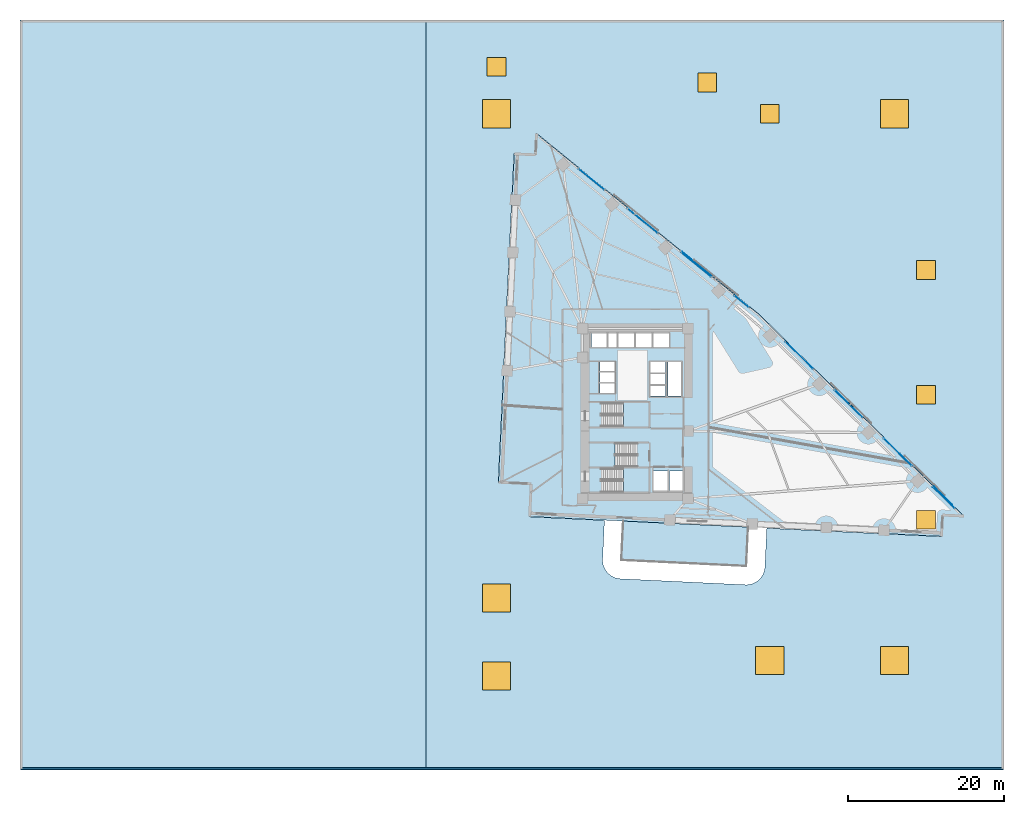
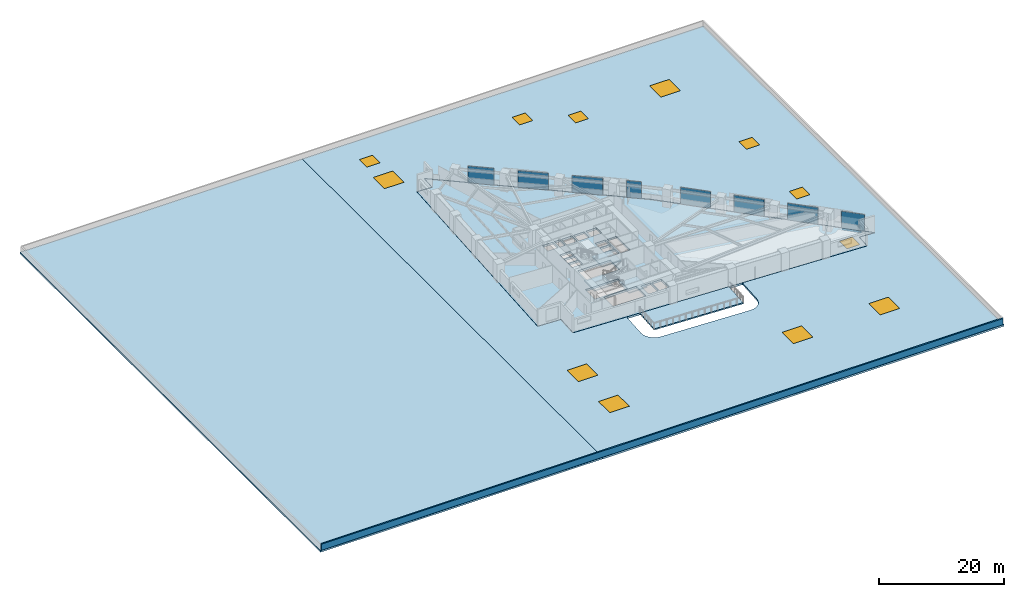
# One storey, part 11 of 19: 12 windows, 10 plates, 7 slabs, 1 wall, 12 openings, 11 elements without a shape of their own.
"""IFC4 building model written with IfcOpenShell, lengths in metres."""

import ifcopenshell
import ifcopenshell.guid

model = None  # the IFC model being written
_history = None  # IfcOwnerHistory: only IFC2X3 demands one
_inside = {}  # id of a spatial element -> (the spatial element, [elements in it])
_under = {}  # id of a project, library or spatial element -> (it, [spatial elements below it])
_declared = {}  # id of a project -> (the project, [libraries it declares])
_typed = {}  # id of a type object -> (the type object, [elements of that type])
_made_of = {}  # id of a material, layer set ... -> (it, [elements and type objects made of it])


def new_model(schema):
    """Start an empty IFC model of exactly this schema.

    Asked for "IFC4X3", IfcOpenShell would pick the latest addendum, in which some entities
    have other attributes; the version numbers below select the first issue.
    IFC2X3 requires an IfcOwnerHistory on every rooted entity: one is made here for all.
    """
    global model, _history
    if schema == "IFC4X3":
        model = ifcopenshell.file(schema_version=(4, 3, 0, 0))
    else:
        model = ifcopenshell.file(schema=schema)
    _inside.clear()
    _under.clear()
    _declared.clear()
    _typed.clear()
    _made_of.clear()
    _history = None
    if model.schema == "IFC2X3":
        org = make("IfcOrganization", Name="unknown")
        user = make(
            "IfcPersonAndOrganization",
            ThePerson=make("IfcPerson", FamilyName="unknown"),
            TheOrganization=org,
        )
        app = make(
            "IfcApplication",
            ApplicationDeveloper=org,
            Version="unknown",
            ApplicationFullName="unknown",
            ApplicationIdentifier="unknown",
        )
        _history = make(
            "IfcOwnerHistory",
            OwningUser=user,
            OwningApplication=app,
            ChangeAction="ADDED",
            CreationDate=0,
        )
    return model


def make(cls, **values):
    """One entity of the class cls with the attributes given. An attribute that is None is left unset."""
    return model.create_entity(
        cls, **{name: value for name, value in values.items() if value is not None}
    )


def rooted(cls, **values):
    """An entity with a GlobalId (a new one), such as an element, a storey or a relation."""
    return make(cls, GlobalId=ifcopenshell.guid.new(), OwnerHistory=_history, **values)


def si_unit(unit_type, name, prefix=None):
    """IfcSIUnit, for example si_unit("LENGTHUNIT", "METRE", prefix="MILLI")."""
    return make("IfcSIUnit", UnitType=unit_type, Prefix=prefix, Name=name)


def assignment(units):
    """IfcUnitAssignment: the units of a project."""
    return None if units is None else make("IfcUnitAssignment", Units=units)


def point(xyz):
    """IfcCartesianPoint."""
    return None if xyz is None else make("IfcCartesianPoint", Coordinates=xyz)


def direction(xyz):
    """IfcDirection."""
    return None if xyz is None else make("IfcDirection", DirectionRatios=xyz)


def frame(location, z_axis=None, x_axis=None):
    """IfcAxis2Placement3D, a coordinate frame: its origin and axes. An axis left out is left unset."""
    return make(
        "IfcAxis2Placement3D",
        Location=point(location),
        Axis=direction(z_axis),
        RefDirection=direction(x_axis),
    )


def frame_2d(location, x_axis=None):
    """IfcAxis2Placement2D, a coordinate frame in the plane: its origin and x axis."""
    return make(
        "IfcAxis2Placement2D", Location=point(location), RefDirection=direction(x_axis)
    )


def origin():
    """The frame at (0, 0, 0) with its axes left unset."""
    return frame((0.0, 0.0, 0.0))


def origin_2d():
    """The frame at (0, 0) in the plane with its x axis left unset."""
    return frame_2d((0.0, 0.0))


def place(relative_to, where):
    """IfcLocalPlacement: puts the frame where relative to a parent placement (None: the world)."""
    return make(
        "IfcLocalPlacement", PlacementRelTo=relative_to, RelativePlacement=where
    )


def context(
    kind, dimensions, precision=None, world=None, true_north=None, identifier=None
):
    """IfcGeometricRepresentationContext, for example the 3D "Model" context."""
    return make(
        "IfcGeometricRepresentationContext",
        ContextIdentifier=identifier,
        ContextType=kind,
        CoordinateSpaceDimension=dimensions,
        Precision=precision,
        WorldCoordinateSystem=world,
        TrueNorth=true_north,
    )


def subcontext(parent, identifier, kind, view, scale=None):
    """IfcGeometricRepresentationSubContext, for example "Body" below "Model"."""
    return make(
        "IfcGeometricRepresentationSubContext",
        ContextIdentifier=identifier,
        ContextType=kind,
        ParentContext=parent,
        TargetScale=scale,
        TargetView=view,
    )


def project(units=None, contexts=None):
    """IfcProject with its units and contexts."""
    return rooted(
        "IfcProject",
        Name="project",
        RepresentationContexts=contexts,
        UnitsInContext=assignment(units),
    )


def spatial(cls, under=None, at=None, **own):
    """A site, building, storey or space (cls), placed at a placement, below another one or the project."""
    s = rooted(cls, ObjectPlacement=at, **own)
    if under is not None:
        _under.setdefault(under.id(), (under, []))[1].append(s)
    return s


def polyline(points):
    """IfcPolyline through the points."""
    return make("IfcPolyline", Points=[point(p) for p in points])


def profile(cls, at=None, kind="AREA", **sizes):
    """A parametric profile (cls). Its sizes go by their IFC names, for example OverallWidth=200.0."""
    return make(cls, ProfileType=kind, Position=at, **sizes)


def rectangle(**sizes):
    """IfcRectangleProfileDef."""
    return profile("IfcRectangleProfileDef", **sizes)


def outline(outer, holes=None, kind="AREA"):
    """IfcArbitraryClosedProfileDef: a profile drawn as a closed curve; with holes, ...WithVoids."""
    if holes is None:
        return make("IfcArbitraryClosedProfileDef", ProfileType=kind, OuterCurve=outer)
    return make(
        "IfcArbitraryProfileDefWithVoids",
        ProfileType=kind,
        OuterCurve=outer,
        InnerCurves=holes,
    )


def extrude(swept, where, along, depth):
    """IfcExtrudedAreaSolid: the profile swept, set in the frame where, extruded along a direction by depth."""
    return make(
        "IfcExtrudedAreaSolid",
        SweptArea=swept,
        Position=where,
        ExtrudedDirection=direction(along),
        Depth=depth,
    )


def shape(context_of_items, identifier, shape_type, items):
    """IfcShapeRepresentation: the items that make up one representation, for example the "Body"."""
    return make(
        "IfcShapeRepresentation",
        ContextOfItems=context_of_items,
        RepresentationIdentifier=identifier,
        RepresentationType=shape_type,
        Items=items,
    )


def material(Name=None, Category=None):
    """IfcMaterial."""
    return make("IfcMaterial", Name=Name, Category=Category)


def layer(
    of_material, thickness, ventilated=None, Name=None, Category=None, Priority=None
):
    """IfcMaterialLayer: one layer of a wall or slab, of a material (None: an air gap)."""
    return make(
        "IfcMaterialLayer",
        Material=of_material,
        LayerThickness=thickness,
        IsVentilated=ventilated,
        Name=Name,
        Category=Category,
        Priority=Priority,
    )


def layer_set(layers, Name=None):
    """IfcMaterialLayerSet."""
    return make("IfcMaterialLayerSet", MaterialLayers=layers, LayerSetName=Name)


def made_of(thing, what):
    """Note that an element or type object is made of a material, layer set ...; save() writes the relation."""
    if what is not None:
        _made_of.setdefault(what.id(), (what, []))[1].append(thing)
    return thing


def type_object(cls, material=None, **own):
    """A type object (cls), such as IfcWallType, which elements share."""
    return made_of(rooted(cls, **own), material)


def element(
    cls,
    number,
    at=None,
    inside=None,
    cuts=None,
    type_object=None,
    material=None,
    context=None,
    identifier="Body",
    shape_type=None,
    held_by="IfcProductDefinitionShape",
    body=None,
    shapes=None,
    **own,
):
    """One element of the class cls, such as IfcWall. Its Tag is "e" and its number.

    at: its placement. inside: the storey or other place that contains it. cuts: it is an
    opening in that element (IfcRelVoidsElement). A single representation is given by context,
    identifier, shape_type and body (its items); several are given by shapes. held_by: the class
    of the entity that holds the representations. save() writes the other relations.
    """
    e = rooted(cls, Tag="e%d" % number, ObjectPlacement=at, **own)
    if body is not None:
        shapes = [shape(context, identifier, shape_type, body)]
    if shapes is not None:
        e.Representation = make(held_by, Representations=shapes)
    if inside is not None:
        _inside.setdefault(inside.id(), (inside, []))[1].append(e)
    if cuts is not None:
        rooted(
            "IfcRelVoidsElement", RelatingBuildingElement=cuts, RelatedOpeningElement=e
        )
    if type_object is not None:
        _typed.setdefault(type_object.id(), (type_object, []))[1].append(e)
    return made_of(e, material)


def fill(opening, filler):
    """IfcRelFillsElement: the door or window that sits in an opening."""
    return rooted(
        "IfcRelFillsElement",
        RelatingOpeningElement=opening,
        RelatedBuildingElement=filler,
    )


def aggregate(whole, parts):
    """IfcRelAggregates: a whole, such as a stair, and the parts it consists of."""
    return rooted("IfcRelAggregates", RelatingObject=whole, RelatedObjects=parts)


def save(model, path):
    """Write the relations noted so far, then the file.

    IfcRelAggregates (storeys below a building ...), IfcRelContainedInSpatialStructure (elements
    in a storey), IfcRelDefinesByType, IfcRelAssociatesMaterial and IfcRelDeclares: one each for
    every whole, place, type object, material and project.
    """
    for whole, parts in _under.values():
        aggregate(whole, parts)
    for where, things in _inside.values():
        rooted(
            "IfcRelContainedInSpatialStructure",
            RelatedElements=things,
            RelatingStructure=where,
        )
    for kind, things in _typed.values():
        rooted("IfcRelDefinesByType", RelatedObjects=things, RelatingType=kind)
    for what, things in _made_of.values():
        rooted("IfcRelAssociatesMaterial", RelatedObjects=things, RelatingMaterial=what)
    for by, libraries in _declared.values():
        rooted("IfcRelDeclares", RelatingContext=by, RelatedDefinitions=libraries)
    model.write(path)


model = new_model("IFC4")

# Units and contexts
model_context = context("Model", 3, precision=1e-05, world=origin(), true_north=direction((0.0, 1.0)))
body_context = subcontext(model_context, "Body", "Model", "MODEL_VIEW")
ifc_project = project(units=[si_unit("LENGTHUNIT", "METRE"), si_unit("AREAUNIT", "SQUARE_METRE"), si_unit("VOLUMEUNIT", "CUBIC_METRE"), si_unit("PLANEANGLEUNIT", "RADIAN"), si_unit("MASSUNIT", "GRAM", prefix="KILO")], contexts=[model_context])

# Site, building, storey
site_placement = place(None, origin())
site = spatial("IfcSite", under=ifc_project, at=site_placement, CompositionType="ELEMENT")
building_placement = place(site_placement, origin())
building = spatial("IfcBuilding", under=site, at=building_placement, Name="Narakoshi Arena Tower", CompositionType="ELEMENT")
storey_placement = place(building_placement, frame((0.0, 0.0, 26.699951171875)))
storey = spatial("IfcBuildingStorey", under=building, at=storey_placement, Name="L06", CompositionType="ELEMENT", Elevation=26.699951171875)

# Curtain wall, plate
ifc_material_1 = material(Name="Anodised bronze aluminium 6063-T6", Category="aluminium")
curtain_wall_type = type_object("IfcCurtainWallType", Name="CW-HYP-LOW", PredefinedType="NOTDEFINED", material=ifc_material_1)
curtain_wall_1_placement = place(storey_placement, origin())
curtain_wall_1 = element("IfcCurtainWall", 1, at=curtain_wall_1_placement, inside=storey, type_object=curtain_wall_type, Name="L06 Folded Hypotenuse Curtain Wall 1-1", PredefinedType="NOTDEFINED")
ifc_material_2 = material(Name="Bronze-tinted low-E laminated glass", Category="glass")
ifc_layer_1 = layer(ifc_material_2, 0.031982421875)
ifc_layer_set_1 = layer_set([ifc_layer_1], Name="Bronze-tinted low-E laminated glass")
plate_type_1 = type_object("IfcPlateType", Name="PLT-GLZ-32", PredefinedType="CURTAIN_PANEL", material=ifc_layer_set_1)
plate_1_placement = place(storey_placement, frame((118.277587890625, 34.8505859375, 0.06494140625), z_axis=(0.0, 0.0, 1.0), x_axis=(-0.712541277695, 0.701630192894, 0.0)))
plate_1 = element("IfcPlate", 2, at=plate_1_placement, type_object=plate_type_1, Name="CW-01 panel 1.1", PredefinedType="CURTAIN_PANEL", context=body_context, shape_type="SweptSolid", body=[
    extrude(rectangle(XDim=3.85498046875, YDim=0.031982421875, at=origin_2d()), origin(), (0.0, 0.0, 1.0), 3.27001953125),
])
aggregate(curtain_wall_1, [plate_1])

curtain_wall_2_placement = place(storey_placement, origin())
curtain_wall_2 = element("IfcCurtainWall", 3, at=curtain_wall_2_placement, inside=storey, type_object=curtain_wall_type, Name="L06 Folded Hypotenuse Curtain Wall 1-2", PredefinedType="NOTDEFINED")
plate_2_placement = place(storey_placement, frame((112.375, 40.66259765625, 0.06494140625), z_axis=(0.0, 0.0, 1.0), x_axis=(-0.712548329451, 0.701623031404, 0.0)))
plate_2 = element("IfcPlate", 4, at=plate_2_placement, type_object=plate_type_1, Name="CW-01 panel 1.1", PredefinedType="CURTAIN_PANEL", context=body_context, shape_type="SweptSolid", body=[
    extrude(rectangle(XDim=4.966552734375, YDim=0.031982421875, at=origin_2d()), origin(), (0.0, 0.0, 1.0), 3.27001953125),
])
aggregate(curtain_wall_2, [plate_2])

curtain_wall_3_placement = place(storey_placement, origin())
curtain_wall_3 = element("IfcCurtainWall", 5, at=curtain_wall_3_placement, inside=storey, type_object=curtain_wall_type, Name="L06 Folded Hypotenuse Curtain Wall 1-3", PredefinedType="NOTDEFINED")
plate_3_placement = place(storey_placement, frame((106.07666015625, 46.864501953125, 0.06494140625), z_axis=(0.0, 0.0, 1.0), x_axis=(-0.712538708053, 0.701632802488, 0.0)))
plate_3 = element("IfcPlate", 6, at=plate_3_placement, type_object=plate_type_1, Name="CW-01 panel 1.1", PredefinedType="CURTAIN_PANEL", context=body_context, shape_type="SweptSolid", body=[
    extrude(rectangle(XDim=4.966552734375, YDim=0.031982421875, at=origin_2d()), origin(), (0.0, 0.0, 1.0), 3.27001953125),
])
aggregate(curtain_wall_3, [plate_3])

curtain_wall_4_placement = place(storey_placement, origin())
curtain_wall_4 = element("IfcCurtainWall", 7, at=curtain_wall_4_placement, inside=storey, type_object=curtain_wall_type, Name="L06 Folded Hypotenuse Curtain Wall 1-4", PredefinedType="NOTDEFINED")
plate_4_placement = place(storey_placement, frame((99.7783203125, 53.06640625, 0.06494140625), z_axis=(0.0, 0.0, 1.0), x_axis=(-0.712538708053, 0.701632802488, 0.0)))
plate_4 = element("IfcPlate", 8, at=plate_4_placement, type_object=plate_type_1, Name="CW-01 panel 1.1", PredefinedType="CURTAIN_PANEL", context=body_context, shape_type="SweptSolid", body=[
    extrude(rectangle(XDim=4.966552734375, YDim=0.031982421875, at=origin_2d()), origin(), (0.0, 0.0, 1.0), 3.27001953125),
])
aggregate(curtain_wall_4, [plate_4])

curtain_wall_5_placement = place(storey_placement, origin())
curtain_wall_5 = element("IfcCurtainWall", 9, at=curtain_wall_5_placement, inside=storey, type_object=curtain_wall_type, Name="L06 Folded Hypotenuse Curtain Wall 2-1", PredefinedType="NOTDEFINED")
plate_5_placement = place(storey_placement, frame((92.40087890625, 59.964111328125, 0.06494140625), z_axis=(0.0, 0.0, 1.0), x_axis=(-0.776007918256, 0.63072316495, 0.0)))
plate_5 = element("IfcPlate", 10, at=plate_5_placement, type_object=plate_type_1, Name="CW-01 panel 1.1", PredefinedType="CURTAIN_PANEL", context=body_context, shape_type="SweptSolid", body=[
    extrude(rectangle(XDim=2.35888671875, YDim=0.031982421875, at=origin_2d()), origin(), (0.0, 0.0, 1.0), 3.27001953125),
])
aggregate(curtain_wall_5, [plate_5])

curtain_wall_6_placement = place(storey_placement, origin())
curtain_wall_6 = element("IfcCurtainWall", 11, at=curtain_wall_6_placement, inside=storey, type_object=curtain_wall_type, Name="L06 Folded Hypotenuse Curtain Wall 2-2", PredefinedType="NOTDEFINED")
plate_6_placement = place(storey_placement, frame((86.566650390625, 64.7060546875, 0.06494140625), z_axis=(0.0, 0.0, 1.0), x_axis=(-0.775998434519, 0.630734833051, 0.0)))
plate_6 = element("IfcPlate", 12, at=plate_6_placement, type_object=plate_type_1, Name="CW-01 panel 1.1", PredefinedType="CURTAIN_PANEL", context=body_context, shape_type="SweptSolid", body=[
    extrude(rectangle(XDim=4.932373046875, YDim=0.031982421875, at=origin_2d()), origin(), (0.0, 0.0, 1.0), 3.27001953125),
])
aggregate(curtain_wall_6, [plate_6])

curtain_wall_7_placement = place(storey_placement, origin())
curtain_wall_7 = element("IfcCurtainWall", 13, at=curtain_wall_7_placement, inside=storey, type_object=curtain_wall_type, Name="L06 Folded Hypotenuse Curtain Wall 2-3", PredefinedType="NOTDEFINED")
plate_7_placement = place(storey_placement, frame((79.73388671875, 70.259765625, 0.06494140625), z_axis=(0.0, 0.0, 1.0), x_axis=(-0.776008064665, 0.630722984816, 0.0)))
plate_7 = element("IfcPlate", 14, at=plate_7_placement, type_object=plate_type_1, Name="CW-01 panel 1.1", PredefinedType="CURTAIN_PANEL", context=body_context, shape_type="SweptSolid", body=[
    extrude(rectangle(XDim=4.932373046875, YDim=0.031982421875, at=origin_2d()), origin(), (0.0, 0.0, 1.0), 3.27001953125),
])
aggregate(curtain_wall_7, [plate_7])

curtain_wall_8_placement = place(storey_placement, origin())
curtain_wall_8 = element("IfcCurtainWall", 15, at=curtain_wall_8_placement, inside=storey, type_object=curtain_wall_type, Name="L06 Folded Hypotenuse Curtain Wall 2-4", PredefinedType="NOTDEFINED")
plate_8_placement = place(storey_placement, frame((73.18603515625, 75.58203125, 0.06494140625), z_axis=(0.0, 0.0, 1.0), x_axis=(-0.775999332044, 0.630733728817, 0.0)))
plate_8 = element("IfcPlate", 16, at=plate_8_placement, type_object=plate_type_1, Name="CW-01 panel 1.1", PredefinedType="CURTAIN_PANEL", context=body_context, shape_type="SweptSolid", body=[
    extrude(rectangle(XDim=4.198486328125, YDim=0.031982421875, at=origin_2d()), origin(), (0.0, 0.0, 1.0), 3.27001953125),
])
aggregate(curtain_wall_8, [plate_8])

# Plates
ifc_layer_2 = layer(ifc_material_1, 0.090087890625)
ifc_layer_set_2 = layer_set([ifc_layer_2], Name="Anodised bronze aluminium 6063-T6")
plate_type_2 = type_object("IfcPlateType", Name="PLT-SPD-90", PredefinedType="SHEET", material=ifc_layer_set_2)
plate_9_placement = place(storey_placement, frame((118.17333984375, 35.0654296875, -0.369873046875), z_axis=(0.0, 0.0, 1.0), x_axis=(-0.712540559713, 0.70163092204, 0.0)))
element("IfcPlate", 17, at=plate_9_placement, inside=storey, type_object=plate_type_2, Name="L06 Transfer Fascia Bronze Spandrel Panel 1", PredefinedType="SHEET", context=body_context, shape_type="SweptSolid", body=[
    extrude(rectangle(XDim=3.2548828125, YDim=0.090087890625, at=origin_2d()), origin(), (0.0, 0.0, 1.0), 0.3798828125),
])
plate_10_placement = place(storey_placement, frame((86.6171875, 64.768310546875, -0.369873046875), z_axis=(0.0, 0.0, 1.0), x_axis=(-0.776002375698, 0.630729984154, 0.0)))
element("IfcPlate", 18, at=plate_10_placement, inside=storey, type_object=plate_type_2, Name="L06 Transfer Fascia Bronze Spandrel Panel 2", PredefinedType="SHEET", context=body_context, shape_type="SweptSolid", body=[
    extrude(rectangle(XDim=4.782470703125, YDim=0.090087890625, at=origin_2d()), origin(), (0.0, 0.0, 1.0), 0.3798828125),
])

# Slabs
ifc_material_3 = material(Name="Concrete C40/50", Category="concrete")
ifc_layer_3 = layer(ifc_material_3, 0.31494140625)
ifc_layer_set_3 = layer_set([ifc_layer_3], Name="Concrete C40/50")
slab_type_1 = type_object("IfcSlabType", Name="SLB-AROF-180", PredefinedType="ROOF", material=ifc_layer_set_3)
slab_1_placement = place(storey_placement, frame((0.0, 0.0, -0.31494140625)))
element("IfcSlab", 19, at=slab_1_placement, inside=storey, type_object=slab_type_1, Name="L06 Non-Accessible Maintenance Arena Acoustic Roof Deck", PredefinedType="ROOF", context=body_context, shape_type="SweptSolid", body=[
    extrude(outline(polyline([(0.0, 0.0), (52.0, 0.0), (52.0, 96.0), (0.0, 96.0), (0.0, 0.0)])), origin(), (0.0, 0.0, 1.0), 0.31494140625),
])
ifc_material_4 = material(Name="Concrete C45/55", Category="concrete")
ifc_layer_4 = layer(ifc_material_4, 0.39990234375)
ifc_layer_set_4 = layer_set([ifc_layer_4], Name="Concrete C45/55")
slab_type_2 = type_object("IfcSlabType", Name="SLB-CONC-400", PredefinedType="FLOOR", material=ifc_layer_set_4)
slab_2_placement = place(storey_placement, frame((0.0, 0.0, -0.39990234375)))
element("IfcSlab", 20, at=slab_2_placement, inside=storey, type_object=slab_type_2, Name="L06 Structural Floor Slab", PredefinedType="FLOOR", context=body_context, shape_type="SweptSolid", body=[
    extrude(outline(polyline([(65.26025390625, 32.416015625), (117.99951171875, 29.8828125), (118.130615234375, 32.609619140625), (120.857421875, 32.478515625), (94.614013671875, 58.31982421875), (66.144287109375, 81.4599609375), (66.013427734375, 78.733154296875), (63.28662109375, 78.8642578125), (61.2666015625, 36.8125), (65.4619140625, 36.611083984375), (65.26025390625, 32.416015625)]), holes=[polyline([(74.47998046875, 35.550048828125), (74.47998046875, 38.550048828125), (80.5, 38.550048828125), (80.5, 35.550048828125), (74.47998046875, 35.550048828125)]), polyline([(81.14990234375, 35.75), (81.14990234375, 38.25), (82.89990234375, 38.25), (82.89990234375, 35.75), (81.14990234375, 35.75)]), polyline([(83.14990234375, 35.75), (83.14990234375, 38.25), (84.89990234375, 38.25), (84.89990234375, 35.75), (83.14990234375, 35.75)]), polyline([(72.949951171875, 38.800048828125), (72.949951171875, 41.800048828125), (78.969970703125, 41.800048828125), (78.969970703125, 38.800048828125), (72.949951171875, 38.800048828125)]), polyline([(74.47998046875, 43.949951171875), (74.47998046875, 46.949951171875), (80.5, 46.949951171875), (80.5, 43.949951171875), (74.47998046875, 43.949951171875)]), polyline([(82.949951171875, 47.840087890625), (82.949951171875, 52.199951171875), (84.699951171875, 52.199951171875), (84.699951171875, 47.840087890625), (82.949951171875, 47.840087890625)]), polyline([(80.75, 47.85009765625), (80.75, 49.14990234375), (82.64990234375, 49.14990234375), (82.64990234375, 47.85009765625), (80.75, 47.85009765625)]), polyline([(74.25, 48.25), (74.25, 49.449951171875), (76.14990234375, 49.449951171875), (76.14990234375, 48.25), (74.25, 48.25)]), polyline([(80.75, 49.3701171875), (80.75, 50.669921875), (82.64990234375, 50.669921875), (82.64990234375, 49.3701171875), (80.75, 49.3701171875)]), polyline([(74.25, 49.64990234375), (74.25, 50.85009765625), (76.14990234375, 50.85009765625), (76.14990234375, 49.64990234375), (74.25, 49.64990234375)]), polyline([(80.75, 50.889892578125), (80.75, 52.18994140625), (82.64990234375, 52.18994140625), (82.64990234375, 50.889892578125), (80.75, 50.889892578125)]), polyline([(74.25, 51.050048828125), (74.25, 52.2099609375), (76.14990234375, 52.2099609375), (76.14990234375, 51.050048828125), (74.25, 51.050048828125)]), polyline([(73.14990234375, 54.14990234375), (73.14990234375, 55.85009765625), (75.10009765625, 55.85009765625), (75.10009765625, 54.14990234375), (73.14990234375, 54.14990234375)]), polyline([(75.35009765625, 54.14990234375), (75.35009765625, 55.85009765625), (76.39990234375, 55.85009765625), (76.39990234375, 54.14990234375), (75.35009765625, 54.14990234375)]), polyline([(76.64990234375, 54.14990234375), (76.64990234375, 55.85009765625), (78.60009765625, 55.85009765625), (78.60009765625, 54.14990234375), (76.64990234375, 54.14990234375)]), polyline([(78.89990234375, 55.85009765625), (80.85009765625, 55.85009765625), (80.85009765625, 54.14990234375), (78.89990234375, 54.14990234375), (78.89990234375, 55.85009765625)]), polyline([(81.14990234375, 55.85009765625), (83.10009765625, 55.85009765625), (83.10009765625, 54.14990234375), (81.14990234375, 54.14990234375), (81.14990234375, 55.85009765625)])]), origin(), (0.0, 0.0, 1.0), 0.39990234375),
])

# Stair, slab
stair_type = type_object("IfcStairType", Name="STR-CORE-360", PredefinedType="TWO_STRAIGHT_RUN_STAIR", material=ifc_material_4)
stair_1_placement = place(storey_placement, origin())
stair_1 = element("IfcStair", 21, at=stair_1_placement, inside=storey, type_object=stair_type, Name="L06 Core Escape Stair ST1", PredefinedType="TWO_STRAIGHT_RUN_STAIR")
ifc_layer_5 = layer(ifc_material_4, 0.18994140625)
ifc_layer_set_5 = layer_set([ifc_layer_5], Name="Concrete C45/55")
slab_type_3 = type_object("IfcSlabType", Name="SLB-LND-190", PredefinedType="LANDING", material=ifc_layer_set_5)
slab_3_placement = place(storey_placement, frame((0.0, 0.0, 1.610107421875)))
slab_3 = element("IfcSlab", 22, at=slab_3_placement, type_object=slab_type_3, Name="ST1 landing 1", PredefinedType="LANDING", context=body_context, shape_type="SweptSolid", body=[
    extrude(outline(polyline([(77.25, 35.3701171875), (80.679931640625, 35.3701171875), (80.679931640625, 38.72998046875), (77.25, 38.72998046875), (77.25, 35.3701171875)])), origin(), (0.0, 0.0, 1.0), 0.18994140625),
])
aggregate(stair_1, [slab_3])

stair_2_placement = place(storey_placement, origin())
stair_2 = element("IfcStair", 23, at=stair_2_placement, inside=storey, type_object=stair_type, Name="L06 Core Escape Stair ST2", PredefinedType="TWO_STRAIGHT_RUN_STAIR")
slab_4_placement = place(storey_placement, frame((0.0, 0.0, 1.610107421875)))
slab_4 = element("IfcSlab", 24, at=slab_4_placement, type_object=slab_type_3, Name="ST2 landing 1", PredefinedType="LANDING", context=body_context, shape_type="SweptSolid", body=[
    extrude(outline(polyline([(72.77001953125, 38.6201171875), (76.199951171875, 38.6201171875), (76.199951171875, 41.97998046875), (72.77001953125, 41.97998046875), (72.77001953125, 38.6201171875)])), origin(), (0.0, 0.0, 1.0), 0.18994140625),
])
aggregate(stair_2, [slab_4])

stair_3_placement = place(storey_placement, origin())
stair_3 = element("IfcStair", 25, at=stair_3_placement, inside=storey, type_object=stair_type, Name="L06 Core Escape Stair ST3", PredefinedType="TWO_STRAIGHT_RUN_STAIR")
slab_5_placement = place(storey_placement, frame((0.0, 0.0, 1.610107421875)))
slab_5 = element("IfcSlab", 26, at=slab_5_placement, type_object=slab_type_3, Name="ST3 landing 1", PredefinedType="LANDING", context=body_context, shape_type="SweptSolid", body=[
    extrude(outline(polyline([(77.25, 43.77001953125), (80.679931640625, 43.77001953125), (80.679931640625, 47.1298828125), (77.25, 47.1298828125), (77.25, 43.77001953125)])), origin(), (0.0, 0.0, 1.0), 0.18994140625),
])
aggregate(stair_3, [slab_5])

# Slab, openings, windows
ifc_layer_6 = layer(ifc_material_4, 0.35009765625)
ifc_layer_set_6 = layer_set([ifc_layer_6], Name="Concrete C45/55")
slab_type_4 = type_object("IfcSlabType", Name="SLB-PODR-350", PredefinedType="ROOF", material=ifc_layer_set_6)
slab_6_placement = place(storey_placement, frame((0.0, 0.0, -0.349853515625)))
slab_6 = element("IfcSlab", 27, at=slab_6_placement, inside=storey, type_object=slab_type_4, Name="L06 Non-Accessible Maintenance Podium Roof Slab 1", PredefinedType="ROOF", context=body_context, shape_type="SweptSolid", body=[
    extrude(outline(polyline([(52.0, 96.0), (126.0, 96.0), (126.0, 0.0), (52.0, 0.0), (52.0, 96.0)]), holes=[polyline([(65.240478515625, 32.4130859375), (65.240966796875, 32.4111328125), (65.241455078125, 32.4091796875), (65.2421875, 32.407470703125), (65.2431640625, 32.40576171875), (65.244140625, 32.404052734375), (65.24560546875, 32.402587890625), (65.246826171875, 32.401123046875), (65.248291015625, 32.39990234375), (65.25, 32.398681640625), (65.251708984375, 32.39794921875), (65.253662109375, 32.397216796875), (65.255615234375, 32.396484375), (65.25732421875, 32.396240234375), (65.25927734375, 32.39599609375), (74.848388671875, 31.935302734375), (74.609375, 26.961181640625), (74.609619140625, 26.7255859375), (74.633056640625, 26.4912109375), (74.67919921875, 26.26025390625), (74.747802734375, 26.034912109375), (74.838134765625, 25.8173828125), (74.949462890625, 25.60986328125), (75.08056640625, 25.414306640625), (75.22998046875, 25.232421875), (75.396728515625, 25.06591796875), (75.5791015625, 24.916748046875), (75.77490234375, 24.7861328125), (75.98291015625, 24.67529296875), (76.200439453125, 24.58544921875), (76.426025390625, 24.517333984375), (76.656982421875, 24.4716796875), (76.891357421875, 24.44873046875), (92.873046875, 23.68115234375), (93.108642578125, 23.681396484375), (93.343017578125, 23.70458984375), (93.573974609375, 23.7509765625), (93.79931640625, 23.819580078125), (94.0166015625, 23.909912109375), (94.224365234375, 24.02099609375), (94.419921875, 24.152099609375), (94.601806640625, 24.3017578125), (94.768310546875, 24.468505859375), (94.91748046875, 24.650634765625), (95.048095703125, 24.8466796875), (95.158935546875, 25.054443359375), (95.248779296875, 25.272216796875), (95.31689453125, 25.497802734375), (95.362548828125, 25.728759765625), (95.385498046875, 25.963134765625), (95.62451171875, 30.9375), (117.99853515625, 29.86279296875), (118.00048828125, 29.86279296875), (118.00244140625, 29.86279296875), (118.00439453125, 29.86328125), (118.00634765625, 29.864013671875), (118.008056640625, 29.864501953125), (118.009765625, 29.865478515625), (118.011474609375, 29.86669921875), (118.012939453125, 29.867919921875), (118.014404296875, 29.869384765625), (118.015625, 29.870849609375), (118.0166015625, 29.872314453125), (118.017578125, 29.874267578125), (118.018310546875, 29.8759765625), (118.018798828125, 29.8779296875), (118.019287109375, 29.8798828125), (118.01953125, 29.881591796875), (118.1494140625, 32.588623046875), (120.8564453125, 32.45849609375), (120.8583984375, 32.45849609375), (120.8603515625, 32.458740234375), (120.8623046875, 32.459228515625), (120.864013671875, 32.459716796875), (120.86572265625, 32.46044921875), (120.867431640625, 32.46142578125), (120.869140625, 32.46240234375), (120.87060546875, 32.463623046875), (120.8720703125, 32.465087890625), (120.873291015625, 32.46630859375), (120.87451171875, 32.468017578125), (120.875244140625, 32.4697265625), (120.876220703125, 32.471435546875), (120.876708984375, 32.473388671875), (120.877197265625, 32.47509765625), (120.877197265625, 32.47705078125), (120.87744140625, 32.47900390625), (120.877197265625, 32.48095703125), (120.876953125, 32.48291015625), (120.87646484375, 32.484619140625), (120.875732421875, 32.486572265625), (120.875, 32.48828125), (120.873779296875, 32.489990234375), (120.872802734375, 32.491455078125), (120.871337890625, 32.492919921875), (94.628173828125, 58.334228515625), (94.626708984375, 58.33544921875), (66.156982421875, 81.4755859375), (66.155517578125, 81.476806640625), (66.15380859375, 81.477783203125), (66.15185546875, 81.478515625), (66.14990234375, 81.479248046875), (66.14794921875, 81.479736328125), (66.14599609375, 81.47998046875), (66.14404296875, 81.47998046875), (66.14208984375, 81.47998046875), (66.139892578125, 81.4794921875), (66.13818359375, 81.47900390625), (66.13623046875, 81.478271484375), (66.134521484375, 81.477294921875), (66.1328125, 81.476318359375), (66.131103515625, 81.47509765625), (66.1298828125, 81.4736328125), (66.12841796875, 81.47216796875), (66.127197265625, 81.470458984375), (66.12646484375, 81.46875), (66.12548828125, 81.466796875), (66.125, 81.46484375), (66.12451171875, 81.462890625), (66.12451171875, 81.4609375), (65.994384765625, 78.754150390625), (63.28759765625, 78.88427734375), (63.28564453125, 78.88427734375), (63.28369140625, 78.884033203125), (63.28173828125, 78.883544921875), (63.27978515625, 78.883056640625), (63.278076171875, 78.88232421875), (63.2763671875, 78.88134765625), (63.274658203125, 78.88037109375), (63.273193359375, 78.87890625), (63.271728515625, 78.877685546875), (63.2705078125, 78.876220703125), (63.269287109375, 78.87451171875), (63.2685546875, 78.872802734375), (63.267822265625, 78.870849609375), (63.26708984375, 78.868896484375), (63.266845703125, 78.8671875), (63.2666015625, 78.865234375), (61.24658203125, 36.813720703125), (61.24658203125, 36.8115234375), (61.246826171875, 36.8095703125), (61.247314453125, 36.8076171875), (61.247802734375, 36.805908203125), (61.24853515625, 36.803955078125), (61.24951171875, 36.80224609375), (61.25048828125, 36.80078125), (61.251953125, 36.79931640625), (61.25341796875, 36.7978515625), (61.2548828125, 36.79638671875), (61.25634765625, 36.79541015625), (61.25830078125, 36.79443359375), (61.260009765625, 36.793701171875), (61.261962890625, 36.793212890625), (61.263916015625, 36.792724609375), (61.265625, 36.79248046875), (65.44091796875, 36.592041015625), (65.240234375, 32.4169921875), (65.240234375, 32.4150390625), (65.240478515625, 32.4130859375)])]), origin(), (0.0, 0.0, 1.0), 0.349853515625),
])
opening_1_placement = place(slab_6_placement, frame((61.0, 12.0, -0.010009765625)))
opening_1 = element("IfcOpeningElement", 28, at=opening_1_placement, cuts=slab_6, Name="Opening WN-11", PredefinedType="OPENING", context=body_context, shape_type="SweptSolid", body=[
    extrude(rectangle(XDim=3.60009765625, YDim=3.60009765625, at=origin_2d()), origin(), (0.0, 0.0, 1.0), 0.369873046875),
])
opening_2_placement = place(slab_6_placement, frame((61.0, 22.0, -0.010009765625)))
opening_2 = element("IfcOpeningElement", 29, at=opening_2_placement, cuts=slab_6, Name="Opening WN-11", PredefinedType="OPENING", context=body_context, shape_type="SweptSolid", body=[
    extrude(rectangle(XDim=3.60009765625, YDim=3.60009765625, at=origin_2d()), origin(), (0.0, 0.0, 1.0), 0.369873046875),
])
opening_3_placement = place(slab_6_placement, frame((61.0, 84.0, -0.010009765625)))
opening_3 = element("IfcOpeningElement", 30, at=opening_3_placement, cuts=slab_6, Name="Opening WN-11", PredefinedType="OPENING", context=body_context, shape_type="SweptSolid", body=[
    extrude(rectangle(XDim=3.60009765625, YDim=3.60009765625, at=origin_2d()), origin(), (0.0, 0.0, 1.0), 0.369873046875),
])
opening_4_placement = place(slab_6_placement, frame((96.0, 14.0, -0.010009765625)))
opening_4 = element("IfcOpeningElement", 31, at=opening_4_placement, cuts=slab_6, Name="Opening WN-11", PredefinedType="OPENING", context=body_context, shape_type="SweptSolid", body=[
    extrude(rectangle(XDim=3.60009765625, YDim=3.60009765625, at=origin_2d()), origin(), (0.0, 0.0, 1.0), 0.369873046875),
])
opening_5_placement = place(slab_6_placement, frame((112.0, 14.0, -0.010009765625)))
opening_5 = element("IfcOpeningElement", 32, at=opening_5_placement, cuts=slab_6, Name="Opening WN-11", PredefinedType="OPENING", context=body_context, shape_type="SweptSolid", body=[
    extrude(rectangle(XDim=3.60009765625, YDim=3.60009765625, at=origin_2d()), origin(), (0.0, 0.0, 1.0), 0.369873046875),
])
opening_6_placement = place(slab_6_placement, frame((112.0, 84.0, -0.010009765625)))
opening_6 = element("IfcOpeningElement", 33, at=opening_6_placement, cuts=slab_6, Name="Opening WN-11", PredefinedType="OPENING", context=body_context, shape_type="SweptSolid", body=[
    extrude(rectangle(XDim=3.60009765625, YDim=3.60009765625, at=origin_2d()), origin(), (0.0, 0.0, 1.0), 0.369873046875),
])
opening_7_placement = place(slab_6_placement, frame((96.0, 84.0, -0.010009765625)))
opening_7 = element("IfcOpeningElement", 34, at=opening_7_placement, cuts=slab_6, Name="Opening WN-12", PredefinedType="OPENING", context=body_context, shape_type="SweptSolid", body=[
    extrude(rectangle(XDim=2.39990234375, YDim=2.39990234375, at=origin_2d()), origin(), (0.0, 0.0, 1.0), 0.369873046875),
])
opening_8_placement = place(slab_6_placement, frame((116.0, 32.0, -0.010009765625)))
opening_8 = element("IfcOpeningElement", 35, at=opening_8_placement, cuts=slab_6, Name="Opening WN-12", PredefinedType="OPENING", context=body_context, shape_type="SweptSolid", body=[
    extrude(rectangle(XDim=2.39990234375, YDim=2.39990234375, at=origin_2d()), origin(), (0.0, 0.0, 1.0), 0.369873046875),
])
opening_9_placement = place(slab_6_placement, frame((116.0, 48.0, -0.010009765625)))
opening_9 = element("IfcOpeningElement", 36, at=opening_9_placement, cuts=slab_6, Name="Opening WN-12", PredefinedType="OPENING", context=body_context, shape_type="SweptSolid", body=[
    extrude(rectangle(XDim=2.39990234375, YDim=2.39990234375, at=origin_2d()), origin(), (0.0, 0.0, 1.0), 0.369873046875),
])
opening_10_placement = place(slab_6_placement, frame((116.0, 64.0, -0.010009765625)))
opening_10 = element("IfcOpeningElement", 37, at=opening_10_placement, cuts=slab_6, Name="Opening WN-12", PredefinedType="OPENING", context=body_context, shape_type="SweptSolid", body=[
    extrude(rectangle(XDim=2.39990234375, YDim=2.39990234375, at=origin_2d()), origin(), (0.0, 0.0, 1.0), 0.369873046875),
])
opening_11_placement = place(slab_6_placement, frame((61.0, 90.0, -0.010009765625)))
opening_11 = element("IfcOpeningElement", 38, at=opening_11_placement, cuts=slab_6, Name="Opening WN-12", PredefinedType="OPENING", context=body_context, shape_type="SweptSolid", body=[
    extrude(rectangle(XDim=2.39990234375, YDim=2.39990234375, at=origin_2d()), origin(), (0.0, 0.0, 1.0), 0.369873046875),
])
opening_12_placement = place(slab_6_placement, frame((88.0, 88.0, -0.010009765625)))
opening_12 = element("IfcOpeningElement", 39, at=opening_12_placement, cuts=slab_6, Name="Opening WN-12", PredefinedType="OPENING", context=body_context, shape_type="SweptSolid", body=[
    extrude(rectangle(XDim=2.39990234375, YDim=2.39990234375, at=origin_2d()), origin(), (0.0, 0.0, 1.0), 0.369873046875),
])
window_type_1 = type_object("IfcWindowType", Name="WIN-SKY-24x24", PartitioningType="SINGLE_PANEL", PredefinedType="SKYLIGHT", material=ifc_material_2)
window_1_placement = place(opening_7_placement, frame((0.0, 0.0, 0.309814453125)))
window_1 = element("IfcWindow", 40, at=window_1_placement, inside=storey, type_object=window_type_1, Name="L06 Podium Gallery Skylight 01", OverallHeight=2.39990234375, OverallWidth=2.39990234375, PartitioningType="SINGLE_PANEL", PredefinedType="SKYLIGHT", context=body_context, shape_type="SweptSolid", body=[
    extrude(rectangle(XDim=2.39990234375, YDim=2.39990234375, at=origin_2d()), origin(), (0.0, 0.0, 1.0), 0.050048828125),
])
fill(opening_7, window_1)
window_2_placement = place(opening_8_placement, frame((0.0, 0.0, 0.309814453125)))
window_2 = element("IfcWindow", 41, at=window_2_placement, inside=storey, type_object=window_type_1, Name="L06 Podium Gallery Skylight 02", OverallHeight=2.39990234375, OverallWidth=2.39990234375, PartitioningType="SINGLE_PANEL", PredefinedType="SKYLIGHT", context=body_context, shape_type="SweptSolid", body=[
    extrude(rectangle(XDim=2.39990234375, YDim=2.39990234375, at=origin_2d()), origin(), (0.0, 0.0, 1.0), 0.050048828125),
])
fill(opening_8, window_2)
window_3_placement = place(opening_9_placement, frame((0.0, 0.0, 0.309814453125)))
window_3 = element("IfcWindow", 42, at=window_3_placement, inside=storey, type_object=window_type_1, Name="L06 Podium Gallery Skylight 03", OverallHeight=2.39990234375, OverallWidth=2.39990234375, PartitioningType="SINGLE_PANEL", PredefinedType="SKYLIGHT", context=body_context, shape_type="SweptSolid", body=[
    extrude(rectangle(XDim=2.39990234375, YDim=2.39990234375, at=origin_2d()), origin(), (0.0, 0.0, 1.0), 0.050048828125),
])
fill(opening_9, window_3)
window_4_placement = place(opening_10_placement, frame((0.0, 0.0, 0.309814453125)))
window_4 = element("IfcWindow", 43, at=window_4_placement, inside=storey, type_object=window_type_1, Name="L06 Podium Gallery Skylight 04", OverallHeight=2.39990234375, OverallWidth=2.39990234375, PartitioningType="SINGLE_PANEL", PredefinedType="SKYLIGHT", context=body_context, shape_type="SweptSolid", body=[
    extrude(rectangle(XDim=2.39990234375, YDim=2.39990234375, at=origin_2d()), origin(), (0.0, 0.0, 1.0), 0.050048828125),
])
fill(opening_10, window_4)
window_5_placement = place(opening_11_placement, frame((0.0, 0.0, 0.309814453125)))
window_5 = element("IfcWindow", 44, at=window_5_placement, inside=storey, type_object=window_type_1, Name="L06 Podium Gallery Skylight 05", OverallHeight=2.39990234375, OverallWidth=2.39990234375, PartitioningType="SINGLE_PANEL", PredefinedType="SKYLIGHT", context=body_context, shape_type="SweptSolid", body=[
    extrude(rectangle(XDim=2.39990234375, YDim=2.39990234375, at=origin_2d()), origin(), (0.0, 0.0, 1.0), 0.050048828125),
])
fill(opening_11, window_5)
window_6_placement = place(opening_12_placement, frame((0.0, 0.0, 0.309814453125)))
window_6 = element("IfcWindow", 45, at=window_6_placement, inside=storey, type_object=window_type_1, Name="L06 Podium Gallery Skylight 06", OverallHeight=2.39990234375, OverallWidth=2.39990234375, PartitioningType="SINGLE_PANEL", PredefinedType="SKYLIGHT", context=body_context, shape_type="SweptSolid", body=[
    extrude(rectangle(XDim=2.39990234375, YDim=2.39990234375, at=origin_2d()), origin(), (0.0, 0.0, 1.0), 0.050048828125),
])
fill(opening_12, window_6)
window_type_2 = type_object("IfcWindowType", Name="WIN-SKY-36x36", PartitioningType="SINGLE_PANEL", PredefinedType="SKYLIGHT", material=ifc_material_2)
window_7_placement = place(opening_1_placement, frame((0.0, 0.0, 0.309814453125)))
window_7 = element("IfcWindow", 46, at=window_7_placement, inside=storey, type_object=window_type_2, Name="L06 Concourse Roof Skylight 01", OverallHeight=3.60009765625, OverallWidth=3.60009765625, PartitioningType="SINGLE_PANEL", PredefinedType="SKYLIGHT", context=body_context, shape_type="SweptSolid", body=[
    extrude(rectangle(XDim=3.60009765625, YDim=3.60009765625, at=origin_2d()), origin(), (0.0, 0.0, 1.0), 0.050048828125),
])
fill(opening_1, window_7)
window_8_placement = place(opening_2_placement, frame((0.0, 0.0, 0.309814453125)))
window_8 = element("IfcWindow", 47, at=window_8_placement, inside=storey, type_object=window_type_2, Name="L06 Concourse Roof Skylight 02", OverallHeight=3.60009765625, OverallWidth=3.60009765625, PartitioningType="SINGLE_PANEL", PredefinedType="SKYLIGHT", context=body_context, shape_type="SweptSolid", body=[
    extrude(rectangle(XDim=3.60009765625, YDim=3.60009765625, at=origin_2d()), origin(), (0.0, 0.0, 1.0), 0.050048828125),
])
fill(opening_2, window_8)
window_9_placement = place(opening_3_placement, frame((0.0, 0.0, 0.309814453125)))
window_9 = element("IfcWindow", 48, at=window_9_placement, inside=storey, type_object=window_type_2, Name="L06 Concourse Roof Skylight 03", OverallHeight=3.60009765625, OverallWidth=3.60009765625, PartitioningType="SINGLE_PANEL", PredefinedType="SKYLIGHT", context=body_context, shape_type="SweptSolid", body=[
    extrude(rectangle(XDim=3.60009765625, YDim=3.60009765625, at=origin_2d()), origin(), (0.0, 0.0, 1.0), 0.050048828125),
])
fill(opening_3, window_9)
window_10_placement = place(opening_4_placement, frame((0.0, 0.0, 0.309814453125)))
window_10 = element("IfcWindow", 49, at=window_10_placement, inside=storey, type_object=window_type_2, Name="L06 Concourse Roof Skylight 04", OverallHeight=3.60009765625, OverallWidth=3.60009765625, PartitioningType="SINGLE_PANEL", PredefinedType="SKYLIGHT", context=body_context, shape_type="SweptSolid", body=[
    extrude(rectangle(XDim=3.60009765625, YDim=3.60009765625, at=origin_2d()), origin(), (0.0, 0.0, 1.0), 0.050048828125),
])
fill(opening_4, window_10)
window_11_placement = place(opening_5_placement, frame((0.0, 0.0, 0.309814453125)))
window_11 = element("IfcWindow", 50, at=window_11_placement, inside=storey, type_object=window_type_2, Name="L06 Concourse Roof Skylight 05", OverallHeight=3.60009765625, OverallWidth=3.60009765625, PartitioningType="SINGLE_PANEL", PredefinedType="SKYLIGHT", context=body_context, shape_type="SweptSolid", body=[
    extrude(rectangle(XDim=3.60009765625, YDim=3.60009765625, at=origin_2d()), origin(), (0.0, 0.0, 1.0), 0.050048828125),
])
fill(opening_5, window_11)
window_12_placement = place(opening_6_placement, frame((0.0, 0.0, 0.309814453125)))
window_12 = element("IfcWindow", 51, at=window_12_placement, inside=storey, type_object=window_type_2, Name="L06 Concourse Roof Skylight 06", OverallHeight=3.60009765625, OverallWidth=3.60009765625, PartitioningType="SINGLE_PANEL", PredefinedType="SKYLIGHT", context=body_context, shape_type="SweptSolid", body=[
    extrude(rectangle(XDim=3.60009765625, YDim=3.60009765625, at=origin_2d()), origin(), (0.0, 0.0, 1.0), 0.050048828125),
])
fill(opening_6, window_12)

# Slab
ifc_layer_7 = layer(ifc_material_4, 0.239990234375)
ifc_layer_set_7 = layer_set([ifc_layer_7], Name="Concrete C45/55")
slab_type_5 = type_object("IfcSlabType", Name="SLB-TERR-240", PredefinedType="ROOF", material=ifc_layer_set_7)
slab_7_placement = place(storey_placement, frame((0.0, 0.0, -0.239990234375)))
element("IfcSlab", 52, at=slab_7_placement, inside=storey, type_object=slab_type_5, Name="L06 Walkable Setback Sky Terrace Slab", PredefinedType="ROOF", context=body_context, shape_type="SweptSolid", body=[
    extrude(outline(polyline([(77.24658203125, 31.84033203125), (77.006591796875, 26.845947265625), (92.98828125, 26.078369140625), (93.22802734375, 31.072509765625), (77.24658203125, 31.84033203125)])), origin(), (0.0, 0.0, 1.0), 0.239990234375),
])

# Wall
ifc_material_5 = material(Name="Precast concrete C45/55", Category="concrete")
ifc_layer_8 = layer(ifc_material_5, 0.25)
ifc_layer_set_8 = layer_set([ifc_layer_8], Name="Precast concrete C45/55")
wall_type = type_object("IfcWallType", Name="WL-PARA-250", PredefinedType="PARAPET", material=ifc_layer_set_8)
wall_placement = place(storey_placement, frame((0.14990234375, 0.14990234375, 0.0), z_axis=(0.0, 0.0, 1.0), x_axis=(1.0, 0.0, 0.0)))
element("IfcWall", 53, at=wall_placement, inside=storey, type_object=wall_type, Name="L06 Podium Roof Upstand Parapet S", PredefinedType="PARAPET", context=body_context, shape_type="SweptSolid", body=[
    extrude(rectangle(XDim=125.7001953125, YDim=0.25, at=frame_2d((62.85009765625, 0.0))), origin(), (0.0, 0.0, 1.0), 1.199951171875),
])

save(model, "model.ifc")
